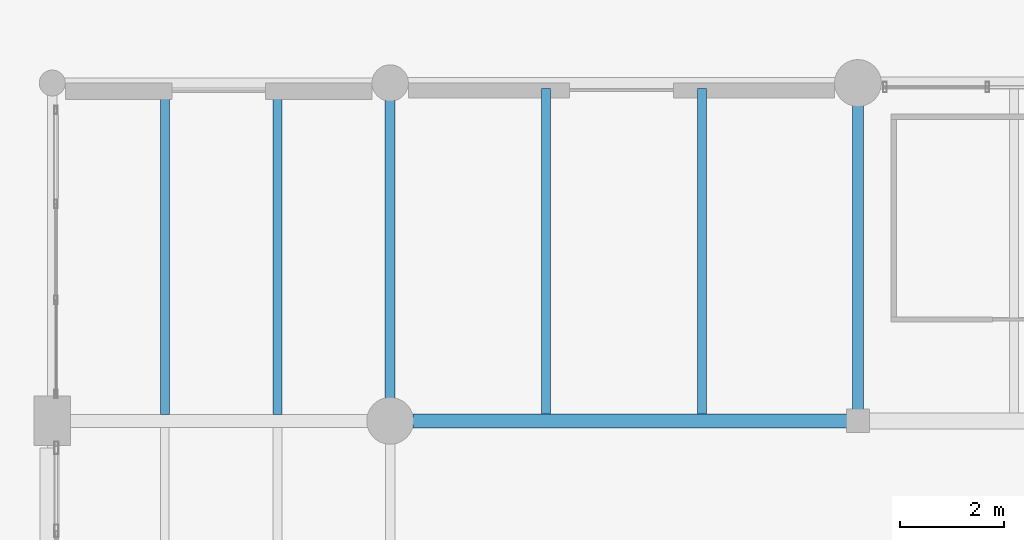
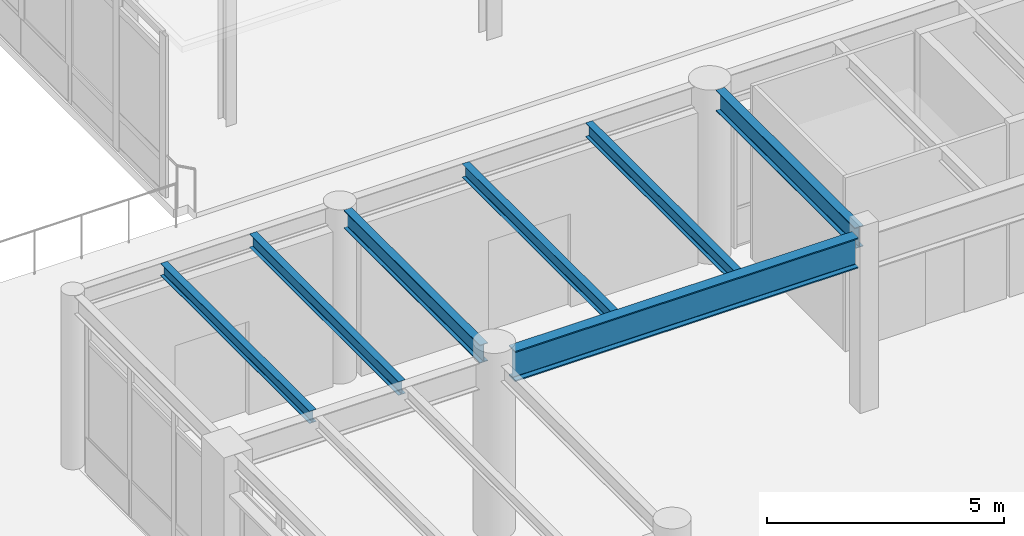
# One storey, part 42 of 200: 7 beams.
"""IFC4 building model written with IfcOpenShell, lengths in metres."""

from ifc_helpers import new_model, si_unit, direction, frame, origin, origin_2d, place, context, subcontext, project, spatial, i_section, extrude, material, material_profile, profile_set, type_object, element, save


model = new_model("IFC4")

# Units and contexts
model_context = context("Model", 3, precision=1e-05, world=origin(), true_north=direction((0.0, 1.0)))
body_context = subcontext(model_context, "Body", "Model", "MODEL_VIEW")
ifc_project = project(units=[si_unit("LENGTHUNIT", "METRE"), si_unit("AREAUNIT", "SQUARE_METRE"), si_unit("VOLUMEUNIT", "CUBIC_METRE"), si_unit("PLANEANGLEUNIT", "RADIAN"), si_unit("MASSUNIT", "GRAM", prefix="KILO"), si_unit("THERMODYNAMICTEMPERATUREUNIT", "KELVIN"), si_unit("POWERUNIT", "WATT")], contexts=[model_context])

# Site, building, storey
site_placement = place(None, origin())
site = spatial("IfcSite", under=ifc_project, at=site_placement, CompositionType="ELEMENT")
building_placement = place(site_placement, origin())
building = spatial("IfcBuilding", under=site, at=building_placement, Name="Tepalcoro Natatorium and Aquatics Centre", CompositionType="ELEMENT")
storey_placement = place(building_placement, frame((0.0, 0.0, 5.39990234375)))
storey = spatial("IfcBuildingStorey", under=building, at=storey_placement, Name="L01", CompositionType="ELEMENT", Elevation=5.39990234375)

# Beams
ifc_material = material(Name="Steel ASTM A992 Grade 50 (Fy 345 MPa)", Category="steel")
ifc_material_profile_1 = material_profile(ifc_material, i_section(OverallWidth=0.193115234375, OverallDepth=0.467041015625, WebThickness=0.010986328125, FlangeThickness=0.01904296875, FilletRadius=0.013916015625, at=origin_2d()), Name="W18X65")
ifc_profile_set_1 = profile_set([ifc_material_profile_1], Name="Steel ASTM A992 Grade 50 (Fy 345 MPa)")
beam_type_1 = type_object("IfcBeamType", Name="BM_W18x65", PredefinedType="BEAM", material=ifc_profile_set_1)
beam_1_placement = place(storey_placement, frame((53.0, 59.43505859375, 4.231689453125), z_axis=(0.0, 1.0, 0.0), x_axis=(-1.0, 0.0, 0.0)))
element("IfcBeam", 1, at=beam_1_placement, inside=storey, type_object=beam_type_1, Name="V1 L01 Grid Girder Y", PredefinedType="BEAM", context=body_context, shape_type="SweptSolid", body=[
    extrude(i_section(OverallWidth=0.193115234375, OverallDepth=0.467041015625, WebThickness=0.010986328125, FlangeThickness=0.01904296875, FilletRadius=0.013916015625, at=origin_2d()), origin(), (0.0, 0.0, 1.0), 5.72998046875),
])
ifc_material_profile_2 = material_profile(ifc_material, i_section(OverallWidth=0.2099609375, OverallDepth=0.532958984375, WebThickness=0.010009765625, FlangeThickness=0.01611328125, FilletRadius=0.013916015625, at=origin_2d()), Name="W21X62")
ifc_profile_set_2 = profile_set([ifc_material_profile_2], Name="Steel ASTM A992 Grade 50 (Fy 345 MPa)")
beam_type_2 = type_object("IfcBeamType", Name="BM_W21x62", PredefinedType="BEAM", material=ifc_profile_set_2)
beam_2_placement = place(storey_placement, frame((62.0, 59.2099609375, 4.198486328125), z_axis=(0.0, 1.0, 0.0), x_axis=(-1.0, 0.0, 0.0)))
element("IfcBeam", 2, at=beam_2_placement, inside=storey, type_object=beam_type_2, Name="V1 L01 Grid Girder Y", PredefinedType="BEAM", context=body_context, shape_type="SweptSolid", body=[
    extrude(i_section(OverallWidth=0.2099609375, OverallDepth=0.532958984375, WebThickness=0.010009765625, FlangeThickness=0.01611328125, FilletRadius=0.013916015625, at=origin_2d()), origin(), (0.0, 0.0, 1.0), 5.85498046875),
])
ifc_material_profile_3 = material_profile(ifc_material, i_section(OverallWidth=0.26708984375, OverallDepth=0.780029296875, WebThickness=0.01708984375, FlangeThickness=0.030029296875, FilletRadius=0.013916015625, at=origin_2d()), Name="W30X148")
ifc_profile_set_3 = profile_set([ifc_material_profile_3], Name="Steel ASTM A992 Grade 50 (Fy 345 MPa)")
beam_type_3 = type_object("IfcBeamType", Name="BM_W30x148", PredefinedType="BEAM", material=ifc_profile_set_3)
beam_3_placement = place(storey_placement, frame((53.43505859375, 59.0, 4.0751953125), z_axis=(1.0, 0.0, 0.0), x_axis=(0.0, 1.0, 0.0)))
element("IfcBeam", 3, at=beam_3_placement, inside=storey, type_object=beam_type_3, Name="V1 L01 Grid Girder X", PredefinedType="BEAM", context=body_context, shape_type="SweptSolid", body=[
    extrude(i_section(OverallWidth=0.26708984375, OverallDepth=0.780029296875, WebThickness=0.01708984375, FlangeThickness=0.030029296875, FilletRadius=0.013916015625, at=origin_2d()), origin(), (0.0, 0.0, 1.0), 8.35498046875),
])
ifc_material_profile_4 = material_profile(ifc_material, i_section(OverallWidth=0.1669921875, OverallDepth=0.318115234375, WebThickness=0.008056640625, FlangeThickness=0.012939453125, FilletRadius=0.013916015625, at=origin_2d()), Name="W12X35")
ifc_profile_set_4 = profile_set([ifc_material_profile_4], Name="Steel ASTM A992 Grade 50 (Fy 345 MPa)")
beam_type_4 = type_object("IfcBeamType", Name="JS_W12x35", PredefinedType="JOIST", material=ifc_profile_set_4)
beam_4_placement = place(storey_placement, frame((48.666748046875, 59.126953125, 4.30615234375), z_axis=(0.0, 1.0, 0.0), x_axis=(-1.0, 0.0, 0.0)))
element("IfcBeam", 4, at=beam_4_placement, inside=storey, type_object=beam_type_4, Name="V1 L01 Floor Joist", PredefinedType="JOIST", context=body_context, shape_type="SweptSolid", body=[
    extrude(i_section(OverallWidth=0.1669921875, OverallDepth=0.318115234375, WebThickness=0.008056640625, FlangeThickness=0.012939453125, FilletRadius=0.013916015625, at=origin_2d()), origin(), (0.0, 0.0, 1.0), 6.277587890625),
])
ifc_material_profile_5 = material_profile(ifc_material, i_section(OverallWidth=0.1708984375, OverallDepth=0.35107421875, WebThickness=0.007080078125, FlangeThickness=0.010009765625, FilletRadius=0.013916015625, at=origin_2d()), Name="W14X30")
ifc_profile_set_5 = profile_set([ifc_material_profile_5], Name="Steel ASTM A992 Grade 50 (Fy 345 MPa)")
beam_type_5 = type_object("IfcBeamType", Name="JS_W14x30", PredefinedType="JOIST", material=ifc_profile_set_5)
beam_5_placement = place(storey_placement, frame((50.833251953125, 59.126953125, 4.28955078125), z_axis=(0.0, 1.0, 0.0), x_axis=(-1.0, 0.0, 0.0)))
element("IfcBeam", 5, at=beam_5_placement, inside=storey, type_object=beam_type_5, Name="V1 L01 Floor Joist", PredefinedType="JOIST", context=body_context, shape_type="SweptSolid", body=[
    extrude(i_section(OverallWidth=0.1708984375, OverallDepth=0.35107421875, WebThickness=0.007080078125, FlangeThickness=0.010009765625, FilletRadius=0.013916015625, at=origin_2d()), origin(), (0.0, 0.0, 1.0), 6.277587890625),
])
beam_6_placement = place(storey_placement, frame((56.0, 59.133544921875, 4.28955078125), z_axis=(0.0, 1.0, 0.0), x_axis=(-1.0, 0.0, 0.0)))
element("IfcBeam", 6, at=beam_6_placement, inside=storey, type_object=beam_type_5, Name="V1 L01 Floor Joist", PredefinedType="JOIST", context=body_context, shape_type="SweptSolid", body=[
    extrude(i_section(OverallWidth=0.1708984375, OverallDepth=0.35107421875, WebThickness=0.007080078125, FlangeThickness=0.010009765625, FilletRadius=0.013916015625, at=origin_2d()), origin(), (0.0, 0.0, 1.0), 6.261474609375),
])
ifc_material_profile_6 = material_profile(ifc_material, i_section(OverallWidth=0.172119140625, OverallDepth=0.35791015625, WebThickness=0.008056640625, FlangeThickness=0.012939453125, FilletRadius=0.013916015625, at=origin_2d()), Name="W14X38")
ifc_profile_set_6 = profile_set([ifc_material_profile_6], Name="Steel ASTM A992 Grade 50 (Fy 345 MPa)")
beam_type_6 = type_object("IfcBeamType", Name="JS_W14x38", PredefinedType="JOIST", material=ifc_profile_set_6)
beam_7_placement = place(storey_placement, frame((59.0, 59.133544921875, 4.2861328125), z_axis=(0.0, 1.0, 0.0), x_axis=(-1.0, 0.0, 0.0)))
element("IfcBeam", 7, at=beam_7_placement, inside=storey, type_object=beam_type_6, Name="V1 L01 Floor Joist", PredefinedType="JOIST", context=body_context, shape_type="SweptSolid", body=[
    extrude(i_section(OverallWidth=0.172119140625, OverallDepth=0.35791015625, WebThickness=0.008056640625, FlangeThickness=0.012939453125, FilletRadius=0.013916015625, at=origin_2d()), origin(), (0.0, 0.0, 1.0), 6.261474609375),
])

save(model, "model.ifc")
